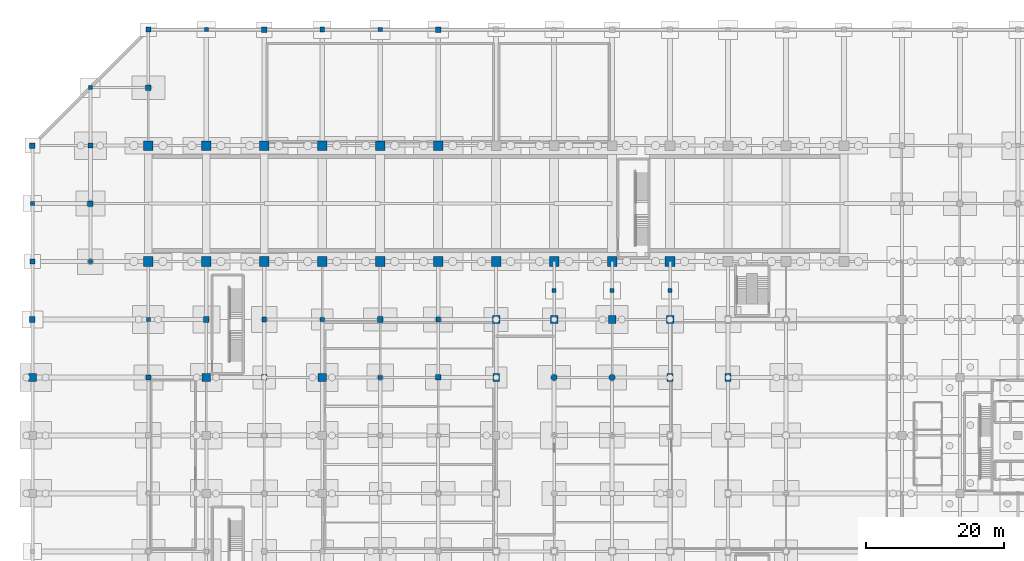
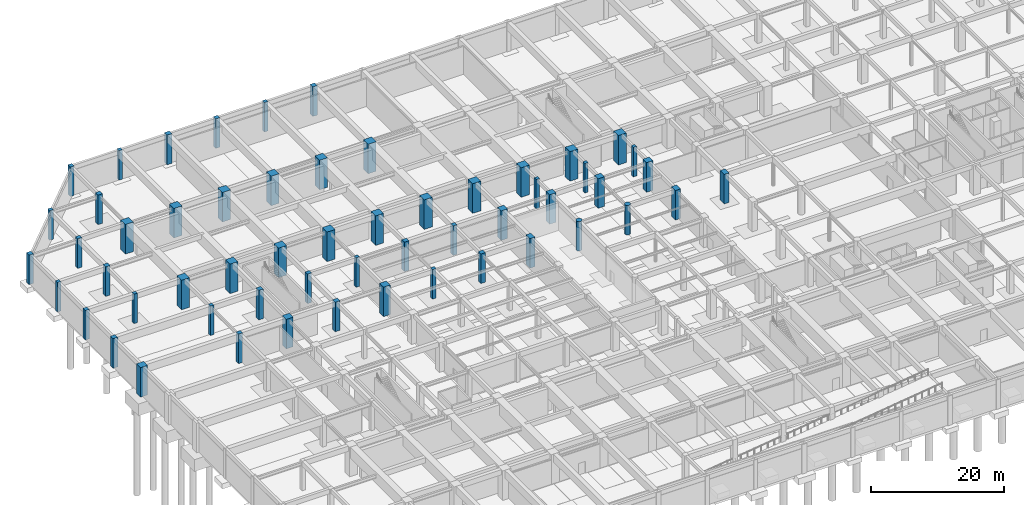
# One storey, part 6 of 26: 56 columns.
"""IFC4 building model written with IfcOpenShell, lengths in metres."""

from ifc_helpers import new_model, si_unit, direction, frame, origin, origin_2d, place, context, subcontext, project, spatial, rectangle, circle, extrude, material, material_profile, profile_set, type_object, element, save


model = new_model("IFC4")

# Units and contexts
model_context = context("Model", 3, precision=1e-05, world=origin(), true_north=direction((0.0, 1.0)))
body_context = subcontext(model_context, "Body", "Model", "MODEL_VIEW")
ifc_project = project(units=[si_unit("LENGTHUNIT", "METRE"), si_unit("AREAUNIT", "SQUARE_METRE"), si_unit("VOLUMEUNIT", "CUBIC_METRE"), si_unit("PLANEANGLEUNIT", "RADIAN"), si_unit("MASSUNIT", "GRAM", prefix="KILO")], contexts=[model_context])

# Site, building, storey
site_placement = place(None, origin())
site = spatial("IfcSite", under=ifc_project, at=site_placement, CompositionType="ELEMENT")
building_placement = place(site_placement, origin())
building = spatial("IfcBuilding", under=site, at=building_placement, Name="Xuanlan Plaza Opera House", CompositionType="ELEMENT")
storey_placement = place(building_placement, frame((0.0, 0.0, -5.39990234375)))
storey = spatial("IfcBuildingStorey", under=building, at=storey_placement, Name="B01", CompositionType="ELEMENT", Elevation=-5.39990234375)

# Columns
ifc_material_1 = material(Name="Concrete C60", Category="concrete")
ifc_material_profile_1 = material_profile(ifc_material_1, rectangle(XDim=1.39990234375, YDim=1.39990234375, at=origin_2d()), Name="RC-COL 1400x1400")
ifc_profile_set_1 = profile_set([ifc_material_profile_1], Name="Concrete C60")
column_type_1 = type_object("IfcColumnType", Name="STR-COL-C-01", PredefinedType="COLUMN", material=ifc_profile_set_1)
for number, where, z_axis, x_axis, name in (
    (1, (16.800048828125, 84.0, 0.0), (0.0, 0.0, 1.0), (1.0, 0.0, 0.0), "Column B01 3-K"),
    (2, (16.800048828125, 100.800048828125, 0.0), (0.0, 0.0, 1.0), (1.0, 0.0, 0.0), "Column B01 3-M"),
    (3, (25.199951171875, 84.0, 0.0), (0.0, 0.0, 1.0), (1.0, 0.0, 0.0), "Column B01 4-K"),
    (4, (25.199951171875, 100.800048828125, 0.0), (0.0, 0.0, 1.0), (1.0, 0.0, 0.0), "Column B01 4-M"),
    (5, (33.60009765625, 84.0, 0.0), (0.0, 0.0, 1.0), (1.0, 0.0, 0.0), "Column B01 5-K"),
    (6, (33.60009765625, 100.800048828125, 0.0), (0.0, 0.0, 1.0), (1.0, 0.0, 0.0), "Column B01 5-M"),
    (7, (42.0, 84.0, 0.0), (0.0, 0.0, 1.0), (1.0, 0.0, 0.0), "Column B01 6-K"),
    (8, (42.0, 100.800048828125, 0.0), (0.0, 0.0, 1.0), (1.0, 0.0, 0.0), "Column B01 6-M"),
    (9, (50.39990234375, 84.0, 0.0), (0.0, 0.0, 1.0), (1.0, 0.0, 0.0), "Column B01 7-K"),
    (10, (50.39990234375, 100.800048828125, 0.0), (0.0, 0.0, 1.0), (1.0, 0.0, 0.0), "Column B01 7-M"),
    (11, (58.800048828125, 84.0, 0.0), (0.0, 0.0, 1.0), (1.0, 0.0, 0.0), "Column B01 8-K"),
    (12, (58.800048828125, 100.800048828125, 0.0), (0.0, 0.0, 1.0), (1.0, 0.0, 0.0), "Column B01 8-M"),
    (13, (67.199951171875, 84.0, 0.0), (0.0, 0.0, 1.0), (1.0, 0.0, 0.0), "Column B01 9-K"),
    (14, (75.60009765625, 84.0, 0.0), (0.0, 0.0, 1.0), (1.0, 0.0, 0.0), "Column B01 10-K"),
    (15, (84.0, 84.0, 0.0), (0.0, 0.0, 1.0), (1.0, 0.0, 0.0), "Column B01 11-K"),
    (16, (92.39990234375, 84.0, 0.0), (0.0, 0.0, 1.0), (1.0, 0.0, 0.0), "Column B01 12-K"),
):
    element("IfcColumn", number, at=place(storey_placement, frame(where, z_axis=z_axis, x_axis=x_axis)), inside=storey, type_object=column_type_1, Name=name, PredefinedType="COLUMN", context=body_context, shape_type="SweptSolid", body=[
        extrude(rectangle(XDim=1.39990234375, YDim=1.39990234375, at=origin_2d()), origin(), (0.0, 0.0, 1.0), 5.39990234375),
    ])
ifc_material_profile_2 = material_profile(ifc_material_1, rectangle(XDim=1.199951171875, YDim=1.199951171875, at=origin_2d()), Name="RC-COL 1200x1200")
ifc_profile_set_2 = profile_set([ifc_material_profile_2], Name="Concrete C60")
column_type_2 = type_object("IfcColumnType", Name="STR-COL-C-02", PredefinedType="COLUMN", material=ifc_profile_set_2)
for number, where, z_axis, x_axis, name in (
    (17, (0.0, 67.199951171875, 0.0), (0.0, 0.0, 1.0), (1.0, 0.0, 0.0), "Column B01 1-I"),
    (18, (25.199951171875, 67.199951171875, 0.0), (0.0, 0.0, 1.0), (1.0, 0.0, 0.0), "Column B01 4-I"),
    (19, (42.0, 67.199951171875, 0.0), (0.0, 0.0, 1.0), (1.0, 0.0, 0.0), "Column B01 6-I"),
):
    element("IfcColumn", number, at=place(storey_placement, frame(where, z_axis=z_axis, x_axis=x_axis)), inside=storey, type_object=column_type_2, Name=name, PredefinedType="COLUMN", context=body_context, shape_type="SweptSolid", body=[
        extrude(rectangle(XDim=1.199951171875, YDim=1.199951171875, at=origin_2d()), origin(), (0.0, 0.0, 1.0), 5.39990234375),
    ])
ifc_material_2 = material(Name="Concrete C50", Category="concrete")
ifc_material_profile_3 = material_profile(ifc_material_2, rectangle(XDim=1.10009765625, YDim=1.10009765625, at=origin_2d()), Name="RC-COL 1100x1100")
ifc_profile_set_3 = profile_set([ifc_material_profile_3], Name="Concrete C50")
column_type_3 = type_object("IfcColumnType", Name="STR-COL-C-03", PredefinedType="COLUMN", material=ifc_profile_set_3)
for number, where, z_axis, x_axis, name in (
    (20, (67.199951171875, 75.60009765625, 0.0), (0.0, 0.0, 1.0), (1.0, 0.0, 0.0), "Column B01 9-J"),
    (21, (75.60009765625, 75.60009765625, 0.0), (0.0, 0.0, 1.0), (1.0, 0.0, 0.0), "Column B01 10-J"),
    (22, (84.0, 75.60009765625, 0.0), (0.0, 0.0, 1.0), (1.0, 0.0, 0.0), "Column B01 11-J"),
    (23, (92.39990234375, 75.60009765625, 0.0), (0.0, 0.0, 1.0), (1.0, 0.0, 0.0), "Column B01 12-J"),
):
    element("IfcColumn", number, at=place(storey_placement, frame(where, z_axis=z_axis, x_axis=x_axis)), inside=storey, type_object=column_type_3, Name=name, PredefinedType="COLUMN", context=body_context, shape_type="SweptSolid", body=[
        extrude(rectangle(XDim=1.10009765625, YDim=1.10009765625, at=origin_2d()), origin(), (0.0, 0.0, 1.0), 5.39990234375),
    ])
ifc_material_3 = material(Name="Concrete C40", Category="concrete")
ifc_material_profile_4 = material_profile(ifc_material_3, rectangle(XDim=0.800048828125, YDim=0.800048828125, at=origin_2d()), Name="RC-COL 800x800")
ifc_profile_set_4 = profile_set([ifc_material_profile_4], Name="Concrete C40")
column_type_4 = type_object("IfcColumnType", Name="STR-COL-C-06", PredefinedType="COLUMN", material=ifc_profile_set_4)
for number, where, z_axis, x_axis, name in (
    (24, (0.0, 75.60009765625, 0.0), (0.0, 0.0, 1.0), (1.0, 0.0, 0.0), "Column B01 1-J"),
    (25, (0.0, 100.800048828125, 0.0), (0.0, 0.0, 1.0), (1.0, 0.0, 0.0), "Column B01 1-M"),
    (26, (8.39990234375, 92.39990234375, 0.0), (0.0, 0.0, 1.0), (1.0, 0.0, 0.0), "Column B01 2-L"),
    (27, (16.800048828125, 109.199951171875, 0.0), (0.0, 0.0, 1.0), (1.0, 0.0, 0.0), "Column B01 3-N"),
    (28, (25.199951171875, 75.60009765625, 0.0), (0.0, 0.0, 1.0), (1.0, 0.0, 0.0), "Column B01 4-J"),
    (29, (33.60009765625, 67.199951171875, 0.0), (0.0, 0.0, 1.0), (1.0, 0.0, 0.0), "Column B01 5-I"),
    (30, (33.60009765625, 117.60009765625, 0.0), (0.0, 0.0, 1.0), (1.0, 0.0, 0.0), "Column B01 5-O"),
    (31, (50.39990234375, 75.60009765625, 0.0), (0.0, 0.0, 1.0), (1.0, 0.0, 0.0), "Column B01 7-J"),
    (32, (58.800048828125, 67.199951171875, 0.0), (0.0, 0.0, 1.0), (1.0, 0.0, 0.0), "Column B01 8-I"),
    (33, (58.800048828125, 117.60009765625, 0.0), (0.0, 0.0, 1.0), (1.0, 0.0, 0.0), "Column B01 8-O"),
):
    element("IfcColumn", number, at=place(storey_placement, frame(where, z_axis=z_axis, x_axis=x_axis)), inside=storey, type_object=column_type_4, Name=name, PredefinedType="COLUMN", context=body_context, shape_type="SweptSolid", body=[
        extrude(rectangle(XDim=0.800048828125, YDim=0.800048828125, at=origin_2d()), origin(), (0.0, 0.0, 1.0), 5.39990234375),
    ])
ifc_material_profile_5 = material_profile(ifc_material_3, rectangle(XDim=0.699951171875, YDim=0.699951171875, at=origin_2d()), Name="RC-COL 700x700")
ifc_profile_set_5 = profile_set([ifc_material_profile_5], Name="Concrete C40")
column_type_5 = type_object("IfcColumnType", Name="STR-COL-C-07", PredefinedType="COLUMN", material=ifc_profile_set_5)
for number, where, z_axis, x_axis, name in (
    (34, (0.0, 84.0, 0.0), (0.0, 0.0, 1.0), (1.0, 0.0, 0.0), "Column B01 1-K"),
    (35, (8.39990234375, 100.800048828125, 0.0), (0.0, 0.0, 1.0), (1.0, 0.0, 0.0), "Column B01 2-M"),
    (36, (16.800048828125, 67.199951171875, 0.0), (0.0, 0.0, 1.0), (1.0, 0.0, 0.0), "Column B01 3-I"),
    (37, (16.800048828125, 117.60009765625, 0.0), (0.0, 0.0, 1.0), (1.0, 0.0, 0.0), "Column B01 3-O"),
    (38, (33.60009765625, 75.60009765625, 0.0), (0.0, 0.0, 1.0), (1.0, 0.0, 0.0), "Column B01 5-J"),
    (39, (42.0, 117.60009765625, 0.0), (0.0, 0.0, 1.0), (1.0, 0.0, 0.0), "Column B01 6-O"),
    (40, (58.800048828125, 75.60009765625, 0.0), (0.0, 0.0, 1.0), (1.0, 0.0, 0.0), "Column B01 8-J"),
):
    element("IfcColumn", number, at=place(storey_placement, frame(where, z_axis=z_axis, x_axis=x_axis)), inside=storey, type_object=column_type_5, Name=name, PredefinedType="COLUMN", context=body_context, shape_type="SweptSolid", body=[
        extrude(rectangle(XDim=0.699951171875, YDim=0.699951171875, at=origin_2d()), origin(), (0.0, 0.0, 1.0), 5.39990234375),
    ])
ifc_material_profile_6 = material_profile(ifc_material_3, rectangle(XDim=0.60009765625, YDim=0.60009765625, at=origin_2d()), Name="RC-COL 600x600")
ifc_profile_set_6 = profile_set([ifc_material_profile_6], Name="Concrete C40")
column_type_6 = type_object("IfcColumnType", Name="STR-COL-C-08", PredefinedType="COLUMN", material=ifc_profile_set_6)
for number, where, z_axis, x_axis, name in (
    (41, (0.0, 92.39990234375, 0.0), (0.0, 0.0, 1.0), (1.0, 0.0, 0.0), "Column B01 1-L"),
    (42, (8.39990234375, 84.0, 0.0), (0.0, 0.0, 1.0), (1.0, 0.0, 0.0), "Column B01 2-K"),
    (43, (8.39990234375, 109.199951171875, 0.0), (0.0, 0.0, 1.0), (1.0, 0.0, 0.0), "Column B01 2-N"),
    (44, (16.800048828125, 75.60009765625, 0.0), (0.0, 0.0, 1.0), (1.0, 0.0, 0.0), "Column B01 3-J"),
    (45, (25.199951171875, 117.60009765625, 0.0), (0.0, 0.0, 1.0), (1.0, 0.0, 0.0), "Column B01 4-O"),
    (46, (42.0, 75.60009765625, 0.0), (0.0, 0.0, 1.0), (1.0, 0.0, 0.0), "Column B01 6-J"),
    (47, (50.39990234375, 67.199951171875, 0.0), (0.0, 0.0, 1.0), (1.0, 0.0, 0.0), "Column B01 7-I"),
    (48, (50.39990234375, 117.60009765625, 0.0), (0.0, 0.0, 1.0), (1.0, 0.0, 0.0), "Column B01 7-O"),
    (49, (75.60009765625, 79.800048828125, 0.0), (0.0, 0.0, 1.0), (1.0, 0.0, 0.0), "Side Tier Support Column B01 N X75"),
    (50, (84.0, 79.800048828125, 0.0), (0.0, 0.0, 1.0), (1.0, 0.0, 0.0), "Side Tier Support Column B01 N X84"),
    (51, (92.39990234375, 79.800048828125, 0.0), (0.0, 0.0, 1.0), (1.0, 0.0, 0.0), "Side Tier Support Column B01 N X92"),
):
    element("IfcColumn", number, at=place(storey_placement, frame(where, z_axis=z_axis, x_axis=x_axis)), inside=storey, type_object=column_type_6, Name=name, PredefinedType="COLUMN", context=body_context, shape_type="SweptSolid", body=[
        extrude(rectangle(XDim=0.60009765625, YDim=0.60009765625, at=origin_2d()), origin(), (0.0, 0.0, 1.0), 5.39990234375),
    ])
ifc_material_profile_7 = material_profile(ifc_material_2, rectangle(XDim=0.89990234375, YDim=1.199951171875, at=origin_2d()), Name="RC-COL 900x1200")
ifc_profile_set_7 = profile_set([ifc_material_profile_7], Name="Concrete C50")
column_type_7 = type_object("IfcColumnType", Name="STR-COL-C-10", PredefinedType="COLUMN", material=ifc_profile_set_7)
for number, where, z_axis, x_axis, name in (
    (52, (67.199951171875, 67.199951171875, 0.0), (0.0, 0.0, 1.0), (1.0, 0.0, 0.0), "Column B01 9-I"),
    (53, (92.39990234375, 67.199951171875, 0.0), (0.0, 0.0, 1.0), (1.0, 0.0, 0.0), "Column B01 12-I"),
    (54, (100.800048828125, 67.199951171875, 0.0), (0.0, 0.0, 1.0), (1.0, 0.0, 0.0), "Column B01 13-I"),
):
    element("IfcColumn", number, at=place(storey_placement, frame(where, z_axis=z_axis, x_axis=x_axis)), inside=storey, type_object=column_type_7, Name=name, PredefinedType="COLUMN", context=body_context, shape_type="SweptSolid", body=[
        extrude(rectangle(XDim=0.89990234375, YDim=1.199951171875, at=origin_2d()), origin(), (0.0, 0.0, 1.0), 5.39990234375),
    ])
ifc_material_profile_8 = material_profile(ifc_material_3, circle(Radius=0.449951171875, at=origin_2d()), Name="RC-COL D900")
ifc_profile_set_8 = profile_set([ifc_material_profile_8], Name="Concrete C40")
column_type_8 = type_object("IfcColumnType", Name="STR-COL-C-12", PredefinedType="COLUMN", material=ifc_profile_set_8)
for number, where, z_axis, x_axis, name in (
    (55, (75.60009765625, 67.199951171875, 0.0), (0.0, 0.0, 1.0), (1.0, 0.0, 0.0), "Column B01 10-I"),
    (56, (84.0, 67.199951171875, 0.0), (0.0, 0.0, 1.0), (1.0, 0.0, 0.0), "Column B01 11-I"),
):
    element("IfcColumn", number, at=place(storey_placement, frame(where, z_axis=z_axis, x_axis=x_axis)), inside=storey, type_object=column_type_8, Name=name, PredefinedType="COLUMN", context=body_context, shape_type="SweptSolid", body=[
        extrude(circle(Radius=0.449951171875, at=origin_2d()), origin(), (0.0, 0.0, 1.0), 5.39990234375),
    ])

save(model, "model.ifc")
